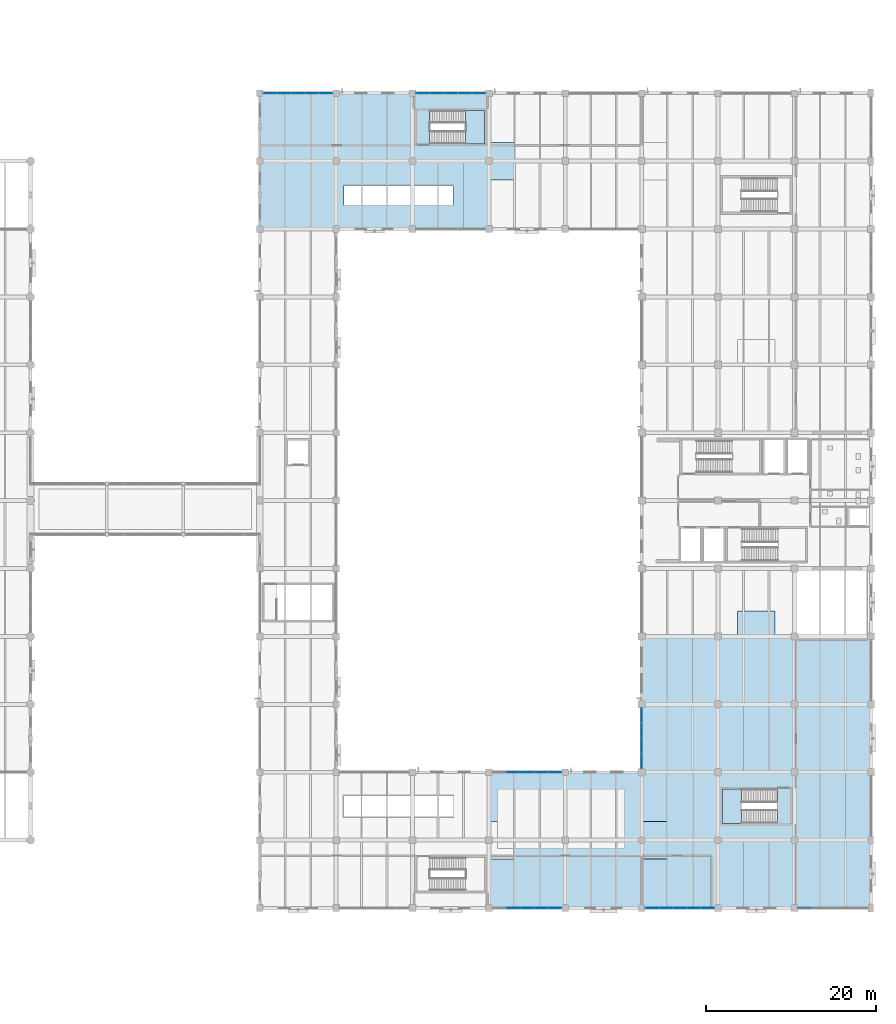
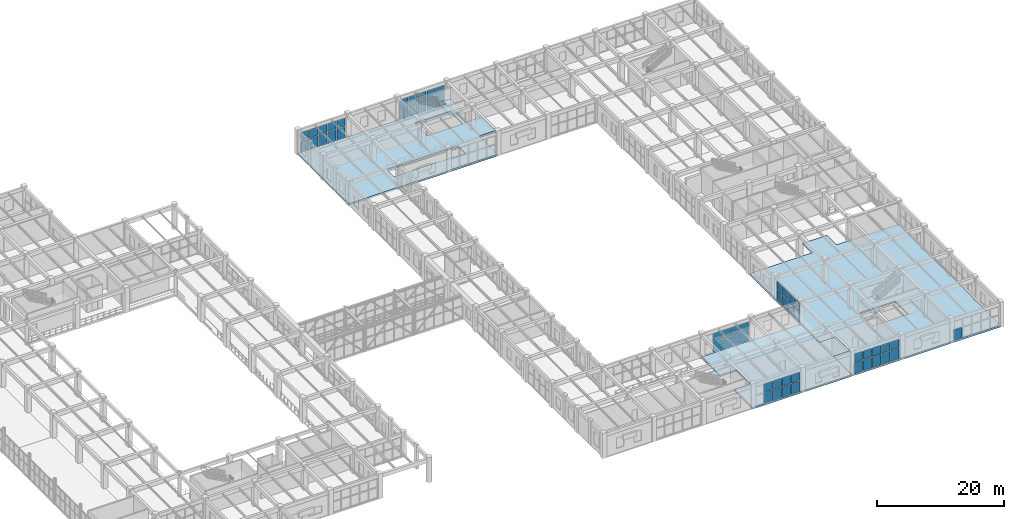
# One storey, part 148 of 178: 55 plates, 5 slabs, 9 elements without a shape of their own.
"""IFC4 building model written with IfcOpenShell, lengths in metres."""

from ifc_helpers import new_model, si_unit, derived_unit, direction, frame, origin, origin_2d, place, context, subcontext, project, spatial, polyline, rectangle, outline, extrude, material, layer, layer_set, type_object, element, aggregate, save


model = new_model("IFC4")

# Units and contexts
model_context = context("Model", 3, precision=1e-05, world=origin(), true_north=direction((0.0, 1.0)))
body_context = subcontext(model_context, "Body", "Model", "MODEL_VIEW")
ifc_project = project(units=[si_unit("LENGTHUNIT", "METRE"), si_unit("AREAUNIT", "SQUARE_METRE"), si_unit("VOLUMEUNIT", "CUBIC_METRE"), si_unit("PLANEANGLEUNIT", "RADIAN"), si_unit("MASSUNIT", "GRAM", prefix="KILO"), derived_unit("THERMALTRANSMITTANCEUNIT", [(si_unit("MASSUNIT", "GRAM", prefix="KILO"), 1), (si_unit("TIMEUNIT", "SECOND"), -3), (si_unit("THERMODYNAMICTEMPERATUREUNIT", "KELVIN"), -1)])], contexts=[model_context])

# Site, building, storey
site_placement = place(None, origin())
site = spatial("IfcSite", under=ifc_project, at=site_placement, CompositionType="ELEMENT")
building_placement = place(site_placement, origin())
building = spatial("IfcBuilding", under=site, at=building_placement, Name="Zhenchuan Archway Interchange", CompositionType="ELEMENT")
storey_placement = place(building_placement, frame((0.0, 0.0, 5.39990234375)))
storey = spatial("IfcBuildingStorey", under=building, at=storey_placement, Name="L01", CompositionType="ELEMENT", Elevation=5.39990234375)

# Curtain wall, plates
ifc_material_1 = material(Name="Anodised Aluminium", Category="aluminium")
curtain_wall_type_1 = type_object("IfcCurtainWallType", Name="CW_UNIT_1", PredefinedType="NOTDEFINED", material=ifc_material_1)
curtain_wall_1_placement = place(storey_placement, origin())
curtain_wall_1 = element("IfcCurtainWall", 1, at=curtain_wall_1_placement, inside=storey, type_object=curtain_wall_type_1, Name="Unitised curtain wall CW:L01:060", PredefinedType="NOTDEFINED")
ifc_material_2 = material(Name="Double Low-E Insulated Glazing", Category="glass")
ifc_layer_1 = layer(ifc_material_2, 0.028076171875)
ifc_layer_set_1 = layer_set([ifc_layer_1], Name="Double Low-E Insulated Glazing")
plate_type_1 = type_object("IfcPlateType", Name="CW_GLZ_1", PredefinedType="CURTAIN_PANEL", material=ifc_layer_set_1)
plate_1_placement = place(storey_placement, frame((100.204345703125, 104.0, 0.080078125), z_axis=(0.0, 0.0, 1.0), x_axis=(1.0, 0.0, 0.0)))
plate_1 = element("IfcPlate", 2, at=plate_1_placement, type_object=plate_type_1, Name="CW:L01:060 lower glazing panel 0", PredefinedType="CURTAIN_PANEL", context=body_context, shape_type="SweptSolid", body=[
    extrude(rectangle(XDim=1.492919921875, YDim=0.028076171875, at=origin_2d()), origin(), (0.0, 0.0, 1.0), 1.98291015625),
])
plate_2_placement = place(storey_placement, frame((101.84716796875, 104.0, 0.080078125), z_axis=(0.0, 0.0, 1.0), x_axis=(1.0, 0.0, 0.0)))
plate_2 = element("IfcPlate", 3, at=plate_2_placement, type_object=plate_type_1, Name="CW:L01:060 lower glazing panel 1", PredefinedType="CURTAIN_PANEL", context=body_context, shape_type="SweptSolid", body=[
    extrude(rectangle(XDim=1.5126953125, YDim=0.028076171875, at=origin_2d()), origin(), (0.0, 0.0, 1.0), 1.98291015625),
])
plate_3_placement = place(storey_placement, frame((103.5, 104.0, 0.080078125), z_axis=(0.0, 0.0, 1.0), x_axis=(1.0, 0.0, 0.0)))
plate_3 = element("IfcPlate", 4, at=plate_3_placement, type_object=plate_type_1, Name="CW:L01:060 lower glazing panel 2", PredefinedType="CURTAIN_PANEL", context=body_context, shape_type="SweptSolid", body=[
    extrude(rectangle(XDim=1.5126953125, YDim=0.028076171875, at=origin_2d()), origin(), (0.0, 0.0, 1.0), 1.98291015625),
])
plate_4_placement = place(storey_placement, frame((105.15283203125, 104.0, 0.080078125), z_axis=(0.0, 0.0, 1.0), x_axis=(1.0, 0.0, 0.0)))
plate_4 = element("IfcPlate", 5, at=plate_4_placement, type_object=plate_type_1, Name="CW:L01:060 lower glazing panel 3", PredefinedType="CURTAIN_PANEL", context=body_context, shape_type="SweptSolid", body=[
    extrude(rectangle(XDim=1.5126953125, YDim=0.028076171875, at=origin_2d()), origin(), (0.0, 0.0, 1.0), 1.98291015625),
])
plate_5_placement = place(storey_placement, frame((106.795654296875, 104.0, 0.080078125), z_axis=(0.0, 0.0, 1.0), x_axis=(1.0, 0.0, 0.0)))
plate_5 = element("IfcPlate", 6, at=plate_5_placement, type_object=plate_type_1, Name="CW:L01:060 lower glazing panel 4", PredefinedType="CURTAIN_PANEL", context=body_context, shape_type="SweptSolid", body=[
    extrude(rectangle(XDim=1.492919921875, YDim=0.028076171875, at=origin_2d()), origin(), (0.0, 0.0, 1.0), 1.98291015625),
])

curtain_wall_type_2 = type_object("IfcCurtainWallType", Name="CW_UNIT_2", PredefinedType="NOTDEFINED", material=ifc_material_1)
curtain_wall_2_placement = place(storey_placement, origin())
curtain_wall_2 = element("IfcCurtainWall", 7, at=curtain_wall_2_placement, inside=storey, type_object=curtain_wall_type_2, Name="Unitised curtain wall CW:L01:061", PredefinedType="NOTDEFINED")
plate_6_placement = place(storey_placement, frame((118.204345703125, 104.0, 0.080078125), z_axis=(0.0, 0.0, 1.0), x_axis=(1.0, 0.0, 0.0)))
plate_6 = element("IfcPlate", 8, at=plate_6_placement, type_object=plate_type_1, Name="CW:L01:061 lower glazing panel 0", PredefinedType="CURTAIN_PANEL", context=body_context, shape_type="SweptSolid", body=[
    extrude(rectangle(XDim=1.492919921875, YDim=0.028076171875, at=origin_2d()), origin(), (0.0, 0.0, 1.0), 1.98291015625),
])
plate_7_placement = place(storey_placement, frame((119.84716796875, 104.0, 0.080078125), z_axis=(0.0, 0.0, 1.0), x_axis=(1.0, 0.0, 0.0)))
plate_7 = element("IfcPlate", 9, at=plate_7_placement, type_object=plate_type_1, Name="CW:L01:061 lower glazing panel 1", PredefinedType="CURTAIN_PANEL", context=body_context, shape_type="SweptSolid", body=[
    extrude(rectangle(XDim=1.5126953125, YDim=0.028076171875, at=origin_2d()), origin(), (0.0, 0.0, 1.0), 1.98291015625),
])
plate_8_placement = place(storey_placement, frame((121.5, 104.0, 0.080078125), z_axis=(0.0, 0.0, 1.0), x_axis=(1.0, 0.0, 0.0)))
plate_8 = element("IfcPlate", 10, at=plate_8_placement, type_object=plate_type_1, Name="CW:L01:061 lower glazing panel 2", PredefinedType="CURTAIN_PANEL", context=body_context, shape_type="SweptSolid", body=[
    extrude(rectangle(XDim=1.5126953125, YDim=0.028076171875, at=origin_2d()), origin(), (0.0, 0.0, 1.0), 1.98291015625),
])
plate_9_placement = place(storey_placement, frame((123.15283203125, 104.0, 0.080078125), z_axis=(0.0, 0.0, 1.0), x_axis=(1.0, 0.0, 0.0)))
plate_9 = element("IfcPlate", 11, at=plate_9_placement, type_object=plate_type_1, Name="CW:L01:061 lower glazing panel 3", PredefinedType="CURTAIN_PANEL", context=body_context, shape_type="SweptSolid", body=[
    extrude(rectangle(XDim=1.5126953125, YDim=0.028076171875, at=origin_2d()), origin(), (0.0, 0.0, 1.0), 1.98291015625),
])
plate_10_placement = place(storey_placement, frame((124.795654296875, 104.0, 0.080078125), z_axis=(0.0, 0.0, 1.0), x_axis=(1.0, 0.0, 0.0)))
plate_10 = element("IfcPlate", 12, at=plate_10_placement, type_object=plate_type_1, Name="CW:L01:061 lower glazing panel 4", PredefinedType="CURTAIN_PANEL", context=body_context, shape_type="SweptSolid", body=[
    extrude(rectangle(XDim=1.492919921875, YDim=0.028076171875, at=origin_2d()), origin(), (0.0, 0.0, 1.0), 1.98291015625),
])

# Curtain wall, plate
curtain_wall_3_placement = place(storey_placement, origin())
curtain_wall_3 = element("IfcCurtainWall", 13, at=curtain_wall_3_placement, inside=storey, type_object=curtain_wall_type_2, Name="Unitised curtain wall CW:L01:069", PredefinedType="NOTDEFINED")
plate_11_placement = place(storey_placement, frame((163.2119140625, 8.0, 0.080078125), z_axis=(0.0, 0.0, 1.0), x_axis=(-1.0, 0.0, 0.0)))
plate_11 = element("IfcPlate", 14, at=plate_11_placement, type_object=plate_type_1, Name="CW:L01:069 lower glazing panel 4", PredefinedType="CURTAIN_PANEL", context=body_context, shape_type="SweptSolid", body=[
    extrude(rectangle(XDim=1.5078125, YDim=0.028076171875, at=origin_2d()), origin(), (0.0, 0.0, 1.0), 1.98291015625),
])
aggregate(curtain_wall_3, [plate_11])

# Curtain wall, plates
curtain_wall_type_3 = type_object("IfcCurtainWallType", Name="CW_UNIT_3", PredefinedType="NOTDEFINED", material=ifc_material_1)
curtain_wall_4_placement = place(storey_placement, origin())
curtain_wall_4 = element("IfcCurtainWall", 15, at=curtain_wall_4_placement, inside=storey, type_object=curtain_wall_type_3, Name="Unitised curtain wall CW:L01:070", PredefinedType="NOTDEFINED")
plate_12_placement = place(storey_placement, frame((151.795654296875, 8.0, 0.080078125), z_axis=(0.0, 0.0, 1.0), x_axis=(-1.0, 0.0, 0.0)))
plate_12 = element("IfcPlate", 16, at=plate_12_placement, type_object=plate_type_1, Name="CW:L01:070 lower glazing panel 0", PredefinedType="CURTAIN_PANEL", context=body_context, shape_type="SweptSolid", body=[
    extrude(rectangle(XDim=1.492919921875, YDim=0.028076171875, at=origin_2d()), origin(), (0.0, 0.0, 1.0), 1.98291015625),
])
plate_13_placement = place(storey_placement, frame((150.15283203125, 8.0, 0.080078125), z_axis=(0.0, 0.0, 1.0), x_axis=(-1.0, 0.0, 0.0)))
plate_13 = element("IfcPlate", 17, at=plate_13_placement, type_object=plate_type_1, Name="CW:L01:070 lower glazing panel 1", PredefinedType="CURTAIN_PANEL", context=body_context, shape_type="SweptSolid", body=[
    extrude(rectangle(XDim=1.5126953125, YDim=0.028076171875, at=origin_2d()), origin(), (0.0, 0.0, 1.0), 1.98291015625),
])
plate_14_placement = place(storey_placement, frame((148.5, 8.0, 0.080078125), z_axis=(0.0, 0.0, 1.0), x_axis=(-1.0, 0.0, 0.0)))
plate_14 = element("IfcPlate", 18, at=plate_14_placement, type_object=plate_type_1, Name="CW:L01:070 lower glazing panel 2", PredefinedType="CURTAIN_PANEL", context=body_context, shape_type="SweptSolid", body=[
    extrude(rectangle(XDim=1.5126953125, YDim=0.028076171875, at=origin_2d()), origin(), (0.0, 0.0, 1.0), 1.98291015625),
])
plate_15_placement = place(storey_placement, frame((146.84716796875, 8.0, 0.080078125), z_axis=(0.0, 0.0, 1.0), x_axis=(-1.0, 0.0, 0.0)))
plate_15 = element("IfcPlate", 19, at=plate_15_placement, type_object=plate_type_1, Name="CW:L01:070 lower glazing panel 3", PredefinedType="CURTAIN_PANEL", context=body_context, shape_type="SweptSolid", body=[
    extrude(rectangle(XDim=1.5126953125, YDim=0.028076171875, at=origin_2d()), origin(), (0.0, 0.0, 1.0), 1.98291015625),
])
plate_16_placement = place(storey_placement, frame((145.204345703125, 8.0, 0.080078125), z_axis=(0.0, 0.0, 1.0), x_axis=(-1.0, 0.0, 0.0)))
plate_16 = element("IfcPlate", 20, at=plate_16_placement, type_object=plate_type_1, Name="CW:L01:070 lower glazing panel 4", PredefinedType="CURTAIN_PANEL", context=body_context, shape_type="SweptSolid", body=[
    extrude(rectangle(XDim=1.492919921875, YDim=0.028076171875, at=origin_2d()), origin(), (0.0, 0.0, 1.0), 1.98291015625),
])

curtain_wall_type_4 = type_object("IfcCurtainWallType", Name="CW_UNIT_4", PredefinedType="NOTDEFINED", material=ifc_material_1)
curtain_wall_5_placement = place(storey_placement, origin())
curtain_wall_5 = element("IfcCurtainWall", 21, at=curtain_wall_5_placement, inside=storey, type_object=curtain_wall_type_4, Name="Unitised curtain wall CW:L01:071", PredefinedType="NOTDEFINED")
plate_17_placement = place(storey_placement, frame((133.795654296875, 8.0, 0.080078125), z_axis=(0.0, 0.0, 1.0), x_axis=(-1.0, 0.0, 0.0)))
plate_17 = element("IfcPlate", 22, at=plate_17_placement, type_object=plate_type_1, Name="CW:L01:071 lower glazing panel 0", PredefinedType="CURTAIN_PANEL", context=body_context, shape_type="SweptSolid", body=[
    extrude(rectangle(XDim=1.492919921875, YDim=0.028076171875, at=origin_2d()), origin(), (0.0, 0.0, 1.0), 1.98291015625),
])
plate_18_placement = place(storey_placement, frame((132.15283203125, 8.0, 0.080078125), z_axis=(0.0, 0.0, 1.0), x_axis=(-1.0, 0.0, 0.0)))
plate_18 = element("IfcPlate", 23, at=plate_18_placement, type_object=plate_type_1, Name="CW:L01:071 lower glazing panel 1", PredefinedType="CURTAIN_PANEL", context=body_context, shape_type="SweptSolid", body=[
    extrude(rectangle(XDim=1.5126953125, YDim=0.028076171875, at=origin_2d()), origin(), (0.0, 0.0, 1.0), 1.98291015625),
])
plate_19_placement = place(storey_placement, frame((130.5, 8.0, 0.080078125), z_axis=(0.0, 0.0, 1.0), x_axis=(-1.0, 0.0, 0.0)))
plate_19 = element("IfcPlate", 24, at=plate_19_placement, type_object=plate_type_1, Name="CW:L01:071 lower glazing panel 2", PredefinedType="CURTAIN_PANEL", context=body_context, shape_type="SweptSolid", body=[
    extrude(rectangle(XDim=1.5126953125, YDim=0.028076171875, at=origin_2d()), origin(), (0.0, 0.0, 1.0), 1.98291015625),
])
plate_20_placement = place(storey_placement, frame((128.84716796875, 8.0, 0.080078125), z_axis=(0.0, 0.0, 1.0), x_axis=(-1.0, 0.0, 0.0)))
plate_20 = element("IfcPlate", 25, at=plate_20_placement, type_object=plate_type_1, Name="CW:L01:071 lower glazing panel 3", PredefinedType="CURTAIN_PANEL", context=body_context, shape_type="SweptSolid", body=[
    extrude(rectangle(XDim=1.5126953125, YDim=0.028076171875, at=origin_2d()), origin(), (0.0, 0.0, 1.0), 1.98291015625),
])

curtain_wall_6_placement = place(storey_placement, origin())
curtain_wall_6 = element("IfcCurtainWall", 26, at=curtain_wall_6_placement, inside=storey, type_object=curtain_wall_type_4, Name="Unitised curtain wall CW:L01:103", PredefinedType="NOTDEFINED")
plate_21_placement = place(storey_placement, frame((128.84716796875, 24.0, 0.080078125), z_axis=(0.0, 0.0, 1.0), x_axis=(1.0, 0.0, 0.0)))
plate_21 = element("IfcPlate", 27, at=plate_21_placement, type_object=plate_type_1, Name="CW:L01:103 lower glazing panel 1", PredefinedType="CURTAIN_PANEL", context=body_context, shape_type="SweptSolid", body=[
    extrude(rectangle(XDim=1.5126953125, YDim=0.028076171875, at=origin_2d()), origin(), (0.0, 0.0, 1.0), 1.98291015625),
])
plate_22_placement = place(storey_placement, frame((130.5, 24.0, 0.080078125), z_axis=(0.0, 0.0, 1.0), x_axis=(1.0, 0.0, 0.0)))
plate_22 = element("IfcPlate", 28, at=plate_22_placement, type_object=plate_type_1, Name="CW:L01:103 lower glazing panel 2", PredefinedType="CURTAIN_PANEL", context=body_context, shape_type="SweptSolid", body=[
    extrude(rectangle(XDim=1.5126953125, YDim=0.028076171875, at=origin_2d()), origin(), (0.0, 0.0, 1.0), 1.98291015625),
])
plate_23_placement = place(storey_placement, frame((132.15283203125, 24.0, 0.080078125), z_axis=(0.0, 0.0, 1.0), x_axis=(1.0, 0.0, 0.0)))
plate_23 = element("IfcPlate", 29, at=plate_23_placement, type_object=plate_type_1, Name="CW:L01:103 lower glazing panel 3", PredefinedType="CURTAIN_PANEL", context=body_context, shape_type="SweptSolid", body=[
    extrude(rectangle(XDim=1.5126953125, YDim=0.028076171875, at=origin_2d()), origin(), (0.0, 0.0, 1.0), 1.98291015625),
])
plate_24_placement = place(storey_placement, frame((133.795654296875, 24.0, 0.080078125), z_axis=(0.0, 0.0, 1.0), x_axis=(1.0, 0.0, 0.0)))
plate_24 = element("IfcPlate", 30, at=plate_24_placement, type_object=plate_type_1, Name="CW:L01:103 lower glazing panel 4", PredefinedType="CURTAIN_PANEL", context=body_context, shape_type="SweptSolid", body=[
    extrude(rectangle(XDim=1.492919921875, YDim=0.028076171875, at=origin_2d()), origin(), (0.0, 0.0, 1.0), 1.98291015625),
])

# Plate
ifc_layer_2 = layer(ifc_material_2, 0.02587890625)
ifc_layer_set_2 = layer_set([ifc_layer_2], Name="Double Low-E Insulated Glazing")
plate_type_2 = type_object("IfcPlateType", Name="CW_GLZ_2", PredefinedType="CURTAIN_PANEL", material=ifc_layer_set_2)
plate_25_placement = place(storey_placement, frame((100.204345703125, 104.0, 2.18310546875), z_axis=(0.0, 0.0, 1.0), x_axis=(1.0, 0.0, 0.0)))
plate_25 = element("IfcPlate", 31, at=plate_25_placement, type_object=plate_type_2, Name="CW:L01:060 upper glazing panel 0", PredefinedType="CURTAIN_PANEL", context=body_context, shape_type="SweptSolid", body=[
    extrude(rectangle(XDim=1.492919921875, YDim=0.02587890625, at=origin_2d()), origin(), (0.0, 0.0, 1.0), 1.596923828125),
])

plate_26_placement = place(storey_placement, frame((101.84716796875, 104.0, 2.18310546875), z_axis=(0.0, 0.0, 1.0), x_axis=(1.0, 0.0, 0.0)))
plate_26 = element("IfcPlate", 32, at=plate_26_placement, type_object=plate_type_2, Name="CW:L01:060 upper glazing panel 1", PredefinedType="CURTAIN_PANEL", context=body_context, shape_type="SweptSolid", body=[
    extrude(rectangle(XDim=1.5126953125, YDim=0.02587890625, at=origin_2d()), origin(), (0.0, 0.0, 1.0), 1.596923828125),
])

plate_27_placement = place(storey_placement, frame((103.5, 104.0, 2.18310546875), z_axis=(0.0, 0.0, 1.0), x_axis=(1.0, 0.0, 0.0)))
plate_27 = element("IfcPlate", 33, at=plate_27_placement, type_object=plate_type_2, Name="CW:L01:060 upper glazing panel 2", PredefinedType="CURTAIN_PANEL", context=body_context, shape_type="SweptSolid", body=[
    extrude(rectangle(XDim=1.5126953125, YDim=0.02587890625, at=origin_2d()), origin(), (0.0, 0.0, 1.0), 1.596923828125),
])

plate_28_placement = place(storey_placement, frame((105.15283203125, 104.0, 2.18310546875), z_axis=(0.0, 0.0, 1.0), x_axis=(1.0, 0.0, 0.0)))
plate_28 = element("IfcPlate", 34, at=plate_28_placement, type_object=plate_type_2, Name="CW:L01:060 upper glazing panel 3", PredefinedType="CURTAIN_PANEL", context=body_context, shape_type="SweptSolid", body=[
    extrude(rectangle(XDim=1.5126953125, YDim=0.02587890625, at=origin_2d()), origin(), (0.0, 0.0, 1.0), 1.596923828125),
])

plate_29_placement = place(storey_placement, frame((106.795654296875, 104.0, 2.18310546875), z_axis=(0.0, 0.0, 1.0), x_axis=(1.0, 0.0, 0.0)))
plate_29 = element("IfcPlate", 35, at=plate_29_placement, type_object=plate_type_2, Name="CW:L01:060 upper glazing panel 4", PredefinedType="CURTAIN_PANEL", context=body_context, shape_type="SweptSolid", body=[
    extrude(rectangle(XDim=1.492919921875, YDim=0.02587890625, at=origin_2d()), origin(), (0.0, 0.0, 1.0), 1.596923828125),
])

aggregate(curtain_wall_1, [plate_1, plate_25, plate_2, plate_26, plate_3, plate_27, plate_4, plate_28, plate_5, plate_29])

plate_30_placement = place(storey_placement, frame((118.204345703125, 104.0, 2.18310546875), z_axis=(0.0, 0.0, 1.0), x_axis=(1.0, 0.0, 0.0)))
plate_30 = element("IfcPlate", 36, at=plate_30_placement, type_object=plate_type_2, Name="CW:L01:061 upper glazing panel 0", PredefinedType="CURTAIN_PANEL", context=body_context, shape_type="SweptSolid", body=[
    extrude(rectangle(XDim=1.492919921875, YDim=0.02587890625, at=origin_2d()), origin(), (0.0, 0.0, 1.0), 1.596923828125),
])

plate_31_placement = place(storey_placement, frame((119.84716796875, 104.0, 2.18310546875), z_axis=(0.0, 0.0, 1.0), x_axis=(1.0, 0.0, 0.0)))
plate_31 = element("IfcPlate", 37, at=plate_31_placement, type_object=plate_type_2, Name="CW:L01:061 upper glazing panel 1", PredefinedType="CURTAIN_PANEL", context=body_context, shape_type="SweptSolid", body=[
    extrude(rectangle(XDim=1.5126953125, YDim=0.02587890625, at=origin_2d()), origin(), (0.0, 0.0, 1.0), 1.596923828125),
])

plate_32_placement = place(storey_placement, frame((121.5, 104.0, 2.18310546875), z_axis=(0.0, 0.0, 1.0), x_axis=(1.0, 0.0, 0.0)))
plate_32 = element("IfcPlate", 38, at=plate_32_placement, type_object=plate_type_2, Name="CW:L01:061 upper glazing panel 2", PredefinedType="CURTAIN_PANEL", context=body_context, shape_type="SweptSolid", body=[
    extrude(rectangle(XDim=1.5126953125, YDim=0.02587890625, at=origin_2d()), origin(), (0.0, 0.0, 1.0), 1.596923828125),
])

plate_33_placement = place(storey_placement, frame((123.15283203125, 104.0, 2.18310546875), z_axis=(0.0, 0.0, 1.0), x_axis=(1.0, 0.0, 0.0)))
plate_33 = element("IfcPlate", 39, at=plate_33_placement, type_object=plate_type_2, Name="CW:L01:061 upper glazing panel 3", PredefinedType="CURTAIN_PANEL", context=body_context, shape_type="SweptSolid", body=[
    extrude(rectangle(XDim=1.5126953125, YDim=0.02587890625, at=origin_2d()), origin(), (0.0, 0.0, 1.0), 1.596923828125),
])

plate_34_placement = place(storey_placement, frame((124.795654296875, 104.0, 2.18310546875), z_axis=(0.0, 0.0, 1.0), x_axis=(1.0, 0.0, 0.0)))
plate_34 = element("IfcPlate", 40, at=plate_34_placement, type_object=plate_type_2, Name="CW:L01:061 upper glazing panel 4", PredefinedType="CURTAIN_PANEL", context=body_context, shape_type="SweptSolid", body=[
    extrude(rectangle(XDim=1.492919921875, YDim=0.02587890625, at=origin_2d()), origin(), (0.0, 0.0, 1.0), 1.596923828125),
])

aggregate(curtain_wall_2, [plate_6, plate_30, plate_7, plate_31, plate_8, plate_32, plate_9, plate_33, plate_10, plate_34])

plate_35_placement = place(storey_placement, frame((151.795654296875, 8.0, 2.18310546875), z_axis=(0.0, 0.0, 1.0), x_axis=(-1.0, 0.0, 0.0)))
plate_35 = element("IfcPlate", 41, at=plate_35_placement, type_object=plate_type_2, Name="CW:L01:070 upper glazing panel 0", PredefinedType="CURTAIN_PANEL", context=body_context, shape_type="SweptSolid", body=[
    extrude(rectangle(XDim=1.492919921875, YDim=0.02587890625, at=origin_2d()), origin(), (0.0, 0.0, 1.0), 1.596923828125),
])

plate_36_placement = place(storey_placement, frame((150.15283203125, 8.0, 2.18310546875), z_axis=(0.0, 0.0, 1.0), x_axis=(-1.0, 0.0, 0.0)))
plate_36 = element("IfcPlate", 42, at=plate_36_placement, type_object=plate_type_2, Name="CW:L01:070 upper glazing panel 1", PredefinedType="CURTAIN_PANEL", context=body_context, shape_type="SweptSolid", body=[
    extrude(rectangle(XDim=1.5126953125, YDim=0.02587890625, at=origin_2d()), origin(), (0.0, 0.0, 1.0), 1.596923828125),
])

plate_37_placement = place(storey_placement, frame((148.5, 8.0, 2.18310546875), z_axis=(0.0, 0.0, 1.0), x_axis=(-1.0, 0.0, 0.0)))
plate_37 = element("IfcPlate", 43, at=plate_37_placement, type_object=plate_type_2, Name="CW:L01:070 upper glazing panel 2", PredefinedType="CURTAIN_PANEL", context=body_context, shape_type="SweptSolid", body=[
    extrude(rectangle(XDim=1.5126953125, YDim=0.02587890625, at=origin_2d()), origin(), (0.0, 0.0, 1.0), 1.596923828125),
])

plate_38_placement = place(storey_placement, frame((146.84716796875, 8.0, 2.18310546875), z_axis=(0.0, 0.0, 1.0), x_axis=(-1.0, 0.0, 0.0)))
plate_38 = element("IfcPlate", 44, at=plate_38_placement, type_object=plate_type_2, Name="CW:L01:070 upper glazing panel 3", PredefinedType="CURTAIN_PANEL", context=body_context, shape_type="SweptSolid", body=[
    extrude(rectangle(XDim=1.5126953125, YDim=0.02587890625, at=origin_2d()), origin(), (0.0, 0.0, 1.0), 1.596923828125),
])

plate_39_placement = place(storey_placement, frame((145.204345703125, 8.0, 2.18310546875), z_axis=(0.0, 0.0, 1.0), x_axis=(-1.0, 0.0, 0.0)))
plate_39 = element("IfcPlate", 45, at=plate_39_placement, type_object=plate_type_2, Name="CW:L01:070 upper glazing panel 4", PredefinedType="CURTAIN_PANEL", context=body_context, shape_type="SweptSolid", body=[
    extrude(rectangle(XDim=1.492919921875, YDim=0.02587890625, at=origin_2d()), origin(), (0.0, 0.0, 1.0), 1.596923828125),
])

aggregate(curtain_wall_4, [plate_12, plate_35, plate_13, plate_36, plate_14, plate_37, plate_15, plate_38, plate_16, plate_39])

plate_40_placement = place(storey_placement, frame((133.795654296875, 8.0, 2.18310546875), z_axis=(0.0, 0.0, 1.0), x_axis=(-1.0, 0.0, 0.0)))
plate_40 = element("IfcPlate", 46, at=plate_40_placement, type_object=plate_type_2, Name="CW:L01:071 upper glazing panel 0", PredefinedType="CURTAIN_PANEL", context=body_context, shape_type="SweptSolid", body=[
    extrude(rectangle(XDim=1.492919921875, YDim=0.02587890625, at=origin_2d()), origin(), (0.0, 0.0, 1.0), 1.596923828125),
])

plate_41_placement = place(storey_placement, frame((132.15283203125, 8.0, 2.18310546875), z_axis=(0.0, 0.0, 1.0), x_axis=(-1.0, 0.0, 0.0)))
plate_41 = element("IfcPlate", 47, at=plate_41_placement, type_object=plate_type_2, Name="CW:L01:071 upper glazing panel 1", PredefinedType="CURTAIN_PANEL", context=body_context, shape_type="SweptSolid", body=[
    extrude(rectangle(XDim=1.5126953125, YDim=0.02587890625, at=origin_2d()), origin(), (0.0, 0.0, 1.0), 1.596923828125),
])

plate_42_placement = place(storey_placement, frame((130.5, 8.0, 2.18310546875), z_axis=(0.0, 0.0, 1.0), x_axis=(-1.0, 0.0, 0.0)))
plate_42 = element("IfcPlate", 48, at=plate_42_placement, type_object=plate_type_2, Name="CW:L01:071 upper glazing panel 2", PredefinedType="CURTAIN_PANEL", context=body_context, shape_type="SweptSolid", body=[
    extrude(rectangle(XDim=1.5126953125, YDim=0.02587890625, at=origin_2d()), origin(), (0.0, 0.0, 1.0), 1.596923828125),
])

plate_43_placement = place(storey_placement, frame((128.84716796875, 8.0, 2.18310546875), z_axis=(0.0, 0.0, 1.0), x_axis=(-1.0, 0.0, 0.0)))
plate_43 = element("IfcPlate", 49, at=plate_43_placement, type_object=plate_type_2, Name="CW:L01:071 upper glazing panel 3", PredefinedType="CURTAIN_PANEL", context=body_context, shape_type="SweptSolid", body=[
    extrude(rectangle(XDim=1.5126953125, YDim=0.02587890625, at=origin_2d()), origin(), (0.0, 0.0, 1.0), 1.596923828125),
])

aggregate(curtain_wall_5, [plate_17, plate_40, plate_18, plate_41, plate_19, plate_42, plate_20, plate_43])

plate_44_placement = place(storey_placement, frame((128.84716796875, 24.0, 2.18310546875), z_axis=(0.0, 0.0, 1.0), x_axis=(1.0, 0.0, 0.0)))
plate_44 = element("IfcPlate", 50, at=plate_44_placement, type_object=plate_type_2, Name="CW:L01:103 upper glazing panel 1", PredefinedType="CURTAIN_PANEL", context=body_context, shape_type="SweptSolid", body=[
    extrude(rectangle(XDim=1.5126953125, YDim=0.02587890625, at=origin_2d()), origin(), (0.0, 0.0, 1.0), 1.596923828125),
])

plate_45_placement = place(storey_placement, frame((130.5, 24.0, 2.18310546875), z_axis=(0.0, 0.0, 1.0), x_axis=(1.0, 0.0, 0.0)))
plate_45 = element("IfcPlate", 51, at=plate_45_placement, type_object=plate_type_2, Name="CW:L01:103 upper glazing panel 2", PredefinedType="CURTAIN_PANEL", context=body_context, shape_type="SweptSolid", body=[
    extrude(rectangle(XDim=1.5126953125, YDim=0.02587890625, at=origin_2d()), origin(), (0.0, 0.0, 1.0), 1.596923828125),
])

plate_46_placement = place(storey_placement, frame((132.15283203125, 24.0, 2.18310546875), z_axis=(0.0, 0.0, 1.0), x_axis=(1.0, 0.0, 0.0)))
plate_46 = element("IfcPlate", 52, at=plate_46_placement, type_object=plate_type_2, Name="CW:L01:103 upper glazing panel 3", PredefinedType="CURTAIN_PANEL", context=body_context, shape_type="SweptSolid", body=[
    extrude(rectangle(XDim=1.5126953125, YDim=0.02587890625, at=origin_2d()), origin(), (0.0, 0.0, 1.0), 1.596923828125),
])

plate_47_placement = place(storey_placement, frame((133.795654296875, 24.0, 2.18310546875), z_axis=(0.0, 0.0, 1.0), x_axis=(1.0, 0.0, 0.0)))
plate_47 = element("IfcPlate", 53, at=plate_47_placement, type_object=plate_type_2, Name="CW:L01:103 upper glazing panel 4", PredefinedType="CURTAIN_PANEL", context=body_context, shape_type="SweptSolid", body=[
    extrude(rectangle(XDim=1.492919921875, YDim=0.02587890625, at=origin_2d()), origin(), (0.0, 0.0, 1.0), 1.596923828125),
])

aggregate(curtain_wall_6, [plate_21, plate_44, plate_22, plate_45, plate_23, plate_46, plate_24, plate_47])

# Curtain wall, plates
curtain_wall_7_placement = place(storey_placement, origin())
curtain_wall_7 = element("IfcCurtainWall", 54, at=curtain_wall_7_placement, inside=storey, type_object=curtain_wall_type_1, Name="Unitised curtain wall CW:L01:104", PredefinedType="NOTDEFINED")
ifc_layer_3 = layer(ifc_material_2, 0.030029296875)
ifc_layer_set_3 = layer_set([ifc_layer_3], Name="Double Low-E Insulated Glazing")
plate_type_3 = type_object("IfcPlateType", Name="CW_GLZ_3", PredefinedType="CURTAIN_PANEL", material=ifc_layer_set_3)
plate_48_placement = place(storey_placement, frame((144.0, 25.3046875, 0.080078125), z_axis=(0.0, 0.0, 1.0), x_axis=(0.0, 1.0, 0.0)))
plate_48 = element("IfcPlate", 55, at=plate_48_placement, type_object=plate_type_3, Name="CW:L01:104 lower glazing panel 0", PredefinedType="CURTAIN_PANEL", context=body_context, shape_type="SweptSolid", body=[
    extrude(rectangle(XDim=1.6435546875, YDim=0.028076171875, at=origin_2d()), origin(), (0.0, 0.0, 1.0), 1.98291015625),
])
plate_49_placement = place(storey_placement, frame((144.0, 27.098388671875, 0.080078125), z_axis=(0.0, 0.0, 1.0), x_axis=(0.0, 1.0, 0.0)))
plate_49 = element("IfcPlate", 56, at=plate_49_placement, type_object=plate_type_3, Name="CW:L01:104 lower glazing panel 1", PredefinedType="CURTAIN_PANEL", context=body_context, shape_type="SweptSolid", body=[
    extrude(rectangle(XDim=1.66357421875, YDim=0.028076171875, at=origin_2d()), origin(), (0.0, 0.0, 1.0), 1.98291015625),
])
plate_50_placement = place(storey_placement, frame((144.0, 28.901611328125, 0.080078125), z_axis=(0.0, 0.0, 1.0), x_axis=(0.0, 1.0, 0.0)))
plate_50 = element("IfcPlate", 57, at=plate_50_placement, type_object=plate_type_3, Name="CW:L01:104 lower glazing panel 2", PredefinedType="CURTAIN_PANEL", context=body_context, shape_type="SweptSolid", body=[
    extrude(rectangle(XDim=1.66357421875, YDim=0.028076171875, at=origin_2d()), origin(), (0.0, 0.0, 1.0), 1.98291015625),
])
plate_51_placement = place(storey_placement, frame((144.0, 30.6953125, 0.080078125), z_axis=(0.0, 0.0, 1.0), x_axis=(0.0, 1.0, 0.0)))
plate_51 = element("IfcPlate", 58, at=plate_51_placement, type_object=plate_type_3, Name="CW:L01:104 lower glazing panel 3", PredefinedType="CURTAIN_PANEL", context=body_context, shape_type="SweptSolid", body=[
    extrude(rectangle(XDim=1.6435546875, YDim=0.028076171875, at=origin_2d()), origin(), (0.0, 0.0, 1.0), 1.98291015625),
])
ifc_layer_4 = layer(ifc_material_2, 0.02392578125)
ifc_layer_set_4 = layer_set([ifc_layer_4], Name="Double Low-E Insulated Glazing")
plate_type_4 = type_object("IfcPlateType", Name="CW_GLZ_4", PredefinedType="CURTAIN_PANEL", material=ifc_layer_set_4)
plate_52_placement = place(storey_placement, frame((144.0, 25.3046875, 2.18310546875), z_axis=(0.0, 0.0, 1.0), x_axis=(0.0, 1.0, 0.0)))
plate_52 = element("IfcPlate", 59, at=plate_52_placement, type_object=plate_type_4, Name="CW:L01:104 upper glazing panel 0", PredefinedType="CURTAIN_PANEL", context=body_context, shape_type="SweptSolid", body=[
    extrude(rectangle(XDim=1.6435546875, YDim=0.02587890625, at=origin_2d()), origin(), (0.0, 0.0, 1.0), 1.596923828125),
])
plate_53_placement = place(storey_placement, frame((144.0, 27.098388671875, 2.18310546875), z_axis=(0.0, 0.0, 1.0), x_axis=(0.0, 1.0, 0.0)))
plate_53 = element("IfcPlate", 60, at=plate_53_placement, type_object=plate_type_4, Name="CW:L01:104 upper glazing panel 1", PredefinedType="CURTAIN_PANEL", context=body_context, shape_type="SweptSolid", body=[
    extrude(rectangle(XDim=1.66357421875, YDim=0.02587890625, at=origin_2d()), origin(), (0.0, 0.0, 1.0), 1.596923828125),
])
plate_54_placement = place(storey_placement, frame((144.0, 28.901611328125, 2.18310546875), z_axis=(0.0, 0.0, 1.0), x_axis=(0.0, 1.0, 0.0)))
plate_54 = element("IfcPlate", 61, at=plate_54_placement, type_object=plate_type_4, Name="CW:L01:104 upper glazing panel 2", PredefinedType="CURTAIN_PANEL", context=body_context, shape_type="SweptSolid", body=[
    extrude(rectangle(XDim=1.66357421875, YDim=0.02587890625, at=origin_2d()), origin(), (0.0, 0.0, 1.0), 1.596923828125),
])
plate_55_placement = place(storey_placement, frame((144.0, 30.6953125, 2.18310546875), z_axis=(0.0, 0.0, 1.0), x_axis=(0.0, 1.0, 0.0)))
plate_55 = element("IfcPlate", 62, at=plate_55_placement, type_object=plate_type_4, Name="CW:L01:104 upper glazing panel 3", PredefinedType="CURTAIN_PANEL", context=body_context, shape_type="SweptSolid", body=[
    extrude(rectangle(XDim=1.6435546875, YDim=0.02587890625, at=origin_2d()), origin(), (0.0, 0.0, 1.0), 1.596923828125),
])
aggregate(curtain_wall_7, [plate_48, plate_52, plate_49, plate_53, plate_50, plate_54, plate_51, plate_55])

# Slabs
ifc_material_3 = material(Name="Concrete C40", Category="concrete")
ifc_layer_5 = layer(ifc_material_3, 0.320068359375)
ifc_layer_set_5 = layer_set([ifc_layer_5], Name="Concrete C40")
slab_type_1 = type_object("IfcSlabType", Name="SLB_FLR_320", PredefinedType="FLOOR", material=ifc_layer_set_5)
slab_1_placement = place(storey_placement, frame((0.0, 0.0, -0.31982421875)))
element("IfcSlab", 63, at=slab_1_placement, inside=storey, type_object=slab_type_1, Name="Structural slab L01 OPS-S2", PredefinedType="FLOOR", context=body_context, shape_type="SweptSolid", body=[
    extrude(outline(polyline([(144.0, 24.0), (144.0, 18.197998046875), (146.998046875, 18.197998046875), (146.998046875, 13.802001953125), (144.0, 13.802001953125), (144.0, 8.0), (126.0, 8.0), (126.0, 13.800048828125), (129.0, 13.800048828125), (129.0, 18.199951171875), (126.0, 18.199951171875), (126.0, 24.0), (144.0, 24.0)])), origin(), (0.0, 0.0, 1.0), 0.31982421875),
])
slab_2_placement = place(storey_placement, frame((0.0, 0.0, -0.31982421875)))
element("IfcSlab", 64, at=slab_2_placement, inside=storey, type_object=slab_type_1, Name="Structural slab L01 OPS-N1", PredefinedType="FLOOR", context=body_context, shape_type="SweptSolid", body=[
    extrude(outline(polyline([(99.0, 104.0), (126.0, 104.0), (126.0, 98.197998046875), (128.998046875, 98.197998046875), (128.998046875, 93.802001953125), (126.0, 93.802001953125), (126.0, 88.0), (99.0, 88.0), (99.0, 104.0)]), holes=[polyline([(125.4951171875, 101.97509765625), (119.02490234375, 101.97509765625), (119.02490234375, 98.02490234375), (125.4951171875, 98.02490234375), (125.4951171875, 101.97509765625)]), polyline([(121.780029296875, 90.85009765625), (121.780029296875, 93.14990234375), (108.89990234375, 93.14990234375), (108.89990234375, 90.85009765625), (121.780029296875, 90.85009765625)])]), origin(), (0.0, 0.0, 1.0), 0.31982421875),
])
slab_3_placement = place(storey_placement, frame((0.0, 0.0, -0.31982421875)))
element("IfcSlab", 65, at=slab_3_placement, inside=storey, type_object=slab_type_1, Name="Structural slab L01 OPS-ES", PredefinedType="FLOOR", context=body_context, shape_type="SweptSolid", body=[
    extrude(outline(polyline([(155.302001953125, 42.998046875), (159.697998046875, 42.998046875), (159.697998046875, 40.0), (171.0, 40.0), (171.0, 8.0), (144.0, 8.0), (144.0, 13.800048828125), (147.0, 13.800048828125), (147.0, 18.199951171875), (144.0, 18.199951171875), (144.0, 40.0), (155.302001953125, 40.0), (155.302001953125, 42.998046875)]), holes=[polyline([(159.97509765625, 17.97509765625), (159.97509765625, 22.02490234375), (153.5048828125, 22.02490234375), (153.5048828125, 17.97509765625), (159.97509765625, 17.97509765625)])]), origin(), (0.0, 0.0, 1.0), 0.31982421875),
])

# Stair, slab
ifc_material_4 = material(Name="Concrete C35", Category="concrete")
stair_type_1 = type_object("IfcStairType", Name="STR_HALF_1550", PredefinedType="HALF_TURN_STAIR", material=ifc_material_4)
stair_1_placement = place(storey_placement, origin())
stair_1 = element("IfcStair", 66, at=stair_1_placement, inside=storey, type_object=stair_type_1, Name="Stair ST-O4 (L01)", PredefinedType="HALF_TURN_STAIR")
ifc_layer_6 = layer(ifc_material_4, 0.199951171875)
ifc_layer_set_6 = layer_set([ifc_layer_6], Name="Concrete C35")
slab_type_2 = type_object("IfcSlabType", Name="SLB_LANDING_200", PredefinedType="LANDING", material=ifc_layer_set_6)
slab_4_placement = place(storey_placement, frame((0.0, 0.0, 2.2001953125)))
slab_4 = element("IfcSlab", 67, at=slab_4_placement, type_object=slab_type_2, Name="Stair ST-O4 half-landing (L01)", PredefinedType="LANDING", context=body_context, shape_type="SweptSolid", body=[
    extrude(outline(polyline([(153.5029296875, 17.972900390625), (155.7548828125, 17.972900390625), (155.7548828125, 22.027099609375), (153.5029296875, 22.027099609375), (153.5029296875, 17.972900390625)])), origin(), (0.0, 0.0, 1.0), 0.199951171875),
])
aggregate(stair_1, [slab_4])

stair_type_2 = type_object("IfcStairType", Name="STR_HALF_1450", PredefinedType="HALF_TURN_STAIR", material=ifc_material_4)
stair_2_placement = place(storey_placement, origin())
stair_2 = element("IfcStair", 68, at=stair_2_placement, inside=storey, type_object=stair_type_2, Name="Stair ST-O6 (L01)", PredefinedType="HALF_TURN_STAIR")
slab_5_placement = place(storey_placement, frame((0.0, 0.0, 2.2001953125)))
slab_5 = element("IfcSlab", 69, at=slab_5_placement, type_object=slab_type_2, Name="Stair ST-O6 half-landing (L01)", PredefinedType="LANDING", context=body_context, shape_type="SweptSolid", body=[
    extrude(outline(polyline([(123.2451171875, 98.02294921875), (125.4970703125, 98.02294921875), (125.4970703125, 101.97705078125), (123.2451171875, 101.97705078125), (123.2451171875, 98.02294921875)])), origin(), (0.0, 0.0, 1.0), 0.199951171875),
])
aggregate(stair_2, [slab_5])

save(model, "model.ifc")
